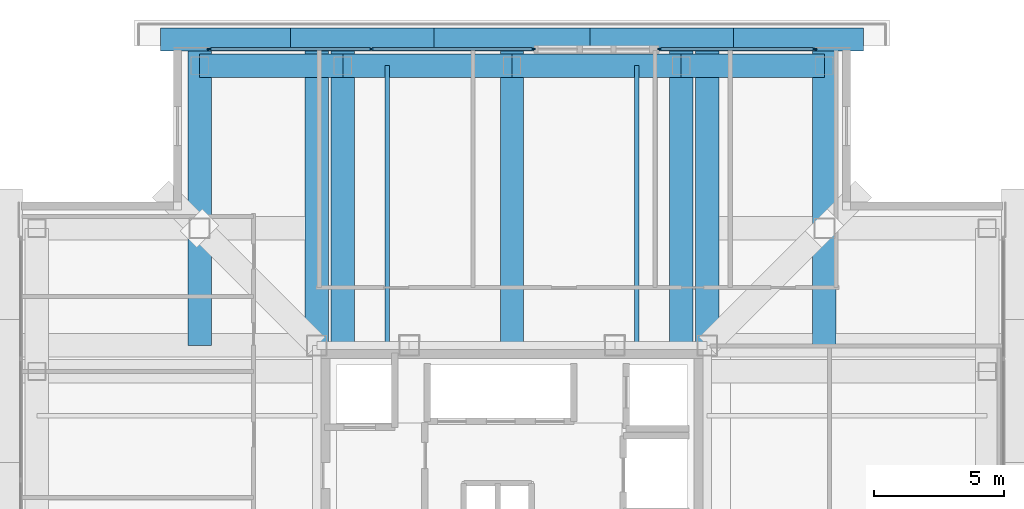
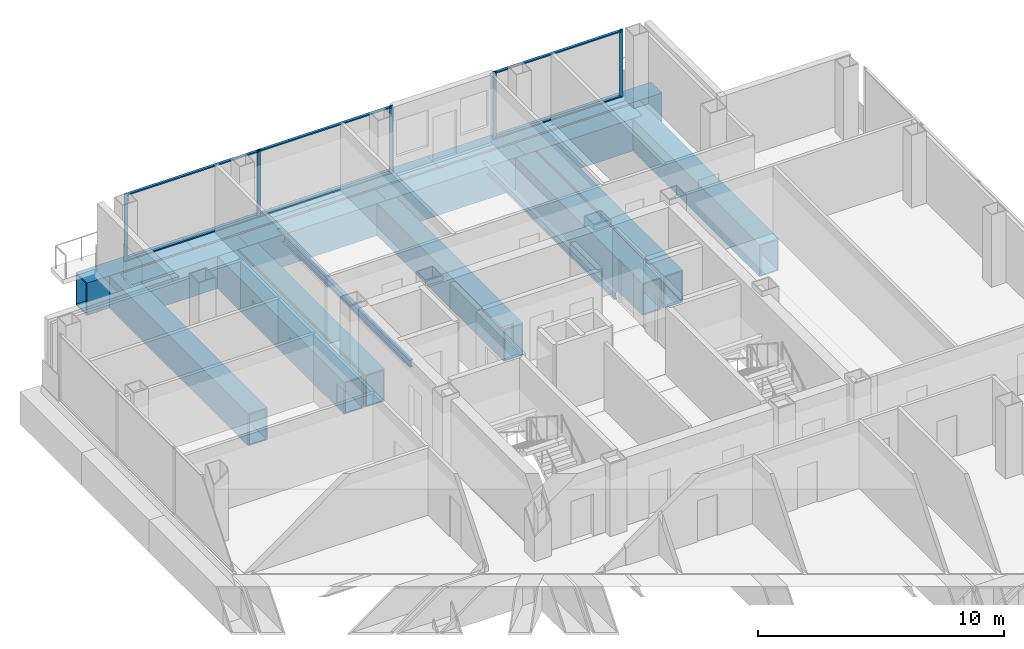
# One storey, part 6 of 15: 18 beams, 11 members, 2 elements without a shape of their own.
"""IFC4 building model written with IfcOpenShell, lengths in metres."""

from ifc_helpers import new_model, si_unit, direction, frame, origin, origin_2d, place, context, subcontext, project, spatial, rectangle, hollow_rectangle, i_section, extrude, material, layer, layer_set, material_profile, profile_set, type_object, element, aggregate, save


model = new_model("IFC4")

# Units and contexts
model_context = context("Model", 3, precision=1e-05, world=origin(), true_north=direction((0.0, 1.0)))
body_context = subcontext(model_context, "Body", "Model", "MODEL_VIEW")
ifc_project = project(units=[si_unit("LENGTHUNIT", "METRE"), si_unit("AREAUNIT", "SQUARE_METRE"), si_unit("VOLUMEUNIT", "CUBIC_METRE"), si_unit("PLANEANGLEUNIT", "RADIAN"), si_unit("MASSUNIT", "GRAM", prefix="KILO")], contexts=[model_context])

# Site, building, storey
site_placement = place(None, origin())
site = spatial("IfcSite", under=ifc_project, at=site_placement, CompositionType="ELEMENT")
building_placement = place(site_placement, origin())
building = spatial("IfcBuilding", under=site, at=building_placement, Name="Trevonay Congress Spire", CompositionType="ELEMENT")
storey_placement = place(building_placement, frame((0.0, 0.0, 232.39990234375)))
storey = spatial("IfcBuildingStorey", under=building, at=storey_placement, Name="L60", CompositionType="ELEMENT", Elevation=232.39990234375)

# Beams
ifc_material_1 = material(Name="Steel ASTM A572 Grade 50", Category="steel")
ifc_material_profile_1 = material_profile(ifc_material_1, hollow_rectangle(XDim=0.89990234375, YDim=1.60009765625, WallThickness=0.06005859375, at=origin_2d()), Name="BOX 1600x900x60")
ifc_profile_set_1 = profile_set([ifc_material_profile_1], Name="Steel ASTM A572 Grade 50")
beam_type_1 = type_object("IfcBeamType", Name="BM-RING-BOX1600", PredefinedType="BEAM", material=ifc_profile_set_1)
beam_1_placement = place(storey_placement, frame((-12.0, 18.25, -1.199951171875), z_axis=(1.0, 0.0, 0.0), x_axis=(0.0, 1.0, 0.0)))
element("IfcBeam", 1, at=beam_1_placement, inside=storey, type_object=beam_type_1, Name="L60 structural beam BM-L60-PN1", PredefinedType="BEAM", context=body_context, shape_type="SweptSolid", body=[
    extrude(hollow_rectangle(XDim=0.89990234375, YDim=1.60009765625, WallThickness=0.06005859375, at=origin_2d()), origin(), (0.0, 0.0, 1.0), 5.5),
])
for number, where, z_axis, x_axis, name in (
    (2, (-6.5, 18.25, -1.199951171875), (1.0, 0.0, 0.0), (0.0, 1.0, 0.0), "L60 structural beam BM-L60-PN2"),
    (3, (0.0, 18.25, -1.199951171875), (1.0, 0.0, 0.0), (0.0, 1.0, 0.0), "L60 structural beam BM-L60-PN3"),
):
    element("IfcBeam", number, at=place(storey_placement, frame(where, z_axis=z_axis, x_axis=x_axis)), inside=storey, type_object=beam_type_1, Name=name, PredefinedType="BEAM", context=body_context, shape_type="SweptSolid", body=[
        extrude(hollow_rectangle(XDim=0.89990234375, YDim=1.60009765625, WallThickness=0.06005859375, at=origin_2d()), origin(), (0.0, 0.0, 1.0), 6.5),
    ])
beam_2_placement = place(storey_placement, frame((6.5, 18.25, -1.199951171875), z_axis=(1.0, 0.0, 0.0), x_axis=(0.0, 1.0, 0.0)))
element("IfcBeam", 4, at=beam_2_placement, inside=storey, type_object=beam_type_1, Name="L60 structural beam BM-L60-PN4", PredefinedType="BEAM", context=body_context, shape_type="SweptSolid", body=[
    extrude(hollow_rectangle(XDim=0.89990234375, YDim=1.60009765625, WallThickness=0.06005859375, at=origin_2d()), origin(), (0.0, 0.0, 1.0), 5.5),
])
beam_3_placement = place(storey_placement, frame((-13.5, 19.25, -1.199951171875), z_axis=(1.0, 0.0, 0.0), x_axis=(0.0, 1.0, 0.0)))
element("IfcBeam", 5, at=beam_3_placement, inside=storey, type_object=beam_type_1, Name="L60 structural beam XOUT-L60-N0", PredefinedType="BEAM", context=body_context, shape_type="SweptSolid", body=[
    extrude(hollow_rectangle(XDim=0.89990234375, YDim=1.60009765625, WallThickness=0.06005859375, at=origin_2d()), origin(), (0.0, 0.0, 1.0), 5.0),
])
beam_4_placement = place(storey_placement, frame((-8.5, 19.25, -1.199951171875), z_axis=(1.0, 0.0, 0.0), x_axis=(0.0, 1.0, 0.0)))
element("IfcBeam", 6, at=beam_4_placement, inside=storey, type_object=beam_type_1, Name="L60 structural beam XOUT-L60-N1", PredefinedType="BEAM", context=body_context, shape_type="SweptSolid", body=[
    extrude(hollow_rectangle(XDim=0.89990234375, YDim=1.60009765625, WallThickness=0.06005859375, at=origin_2d()), origin(), (0.0, 0.0, 1.0), 5.5),
])
beam_5_placement = place(storey_placement, frame((-3.0, 19.25, -1.199951171875), z_axis=(1.0, 0.0, 0.0), x_axis=(0.0, 1.0, 0.0)))
element("IfcBeam", 7, at=beam_5_placement, inside=storey, type_object=beam_type_1, Name="L60 structural beam XOUT-L60-N2", PredefinedType="BEAM", context=body_context, shape_type="SweptSolid", body=[
    extrude(hollow_rectangle(XDim=0.89990234375, YDim=1.60009765625, WallThickness=0.06005859375, at=origin_2d()), origin(), (0.0, 0.0, 1.0), 6.0),
])
beam_6_placement = place(storey_placement, frame((3.0, 19.25, -1.199951171875), z_axis=(1.0, 0.0, 0.0), x_axis=(0.0, 1.0, 0.0)))
element("IfcBeam", 8, at=beam_6_placement, inside=storey, type_object=beam_type_1, Name="L60 structural beam XOUT-L60-N3", PredefinedType="BEAM", context=body_context, shape_type="SweptSolid", body=[
    extrude(hollow_rectangle(XDim=0.89990234375, YDim=1.60009765625, WallThickness=0.06005859375, at=origin_2d()), origin(), (0.0, 0.0, 1.0), 5.5),
])
beam_7_placement = place(storey_placement, frame((8.5, 19.25, -1.199951171875), z_axis=(1.0, 0.0, 0.0), x_axis=(0.0, 1.0, 0.0)))
element("IfcBeam", 9, at=beam_7_placement, inside=storey, type_object=beam_type_1, Name="L60 structural beam XOUT-L60-N4", PredefinedType="BEAM", context=body_context, shape_type="SweptSolid", body=[
    extrude(hollow_rectangle(XDim=0.89990234375, YDim=1.60009765625, WallThickness=0.06005859375, at=origin_2d()), origin(), (0.0, 0.0, 1.0), 5.0),
])
ifc_material_profile_2 = material_profile(ifc_material_1, hollow_rectangle(XDim=0.89990234375, YDim=1.60009765625, WallThickness=0.06005859375, at=origin_2d()), Name="BOX 1600x900x60")
ifc_profile_set_2 = profile_set([ifc_material_profile_2], Name="Steel ASTM A572 Grade 50")
beam_type_2 = type_object("IfcBeamType", Name="BM-XFER-BOX1600", PredefinedType="BEAM", material=ifc_profile_set_2)
for number, where, z_axis, x_axis, name in (
    (10, (-7.5, 7.5, -1.199951171875), (0.0, 1.0, 0.0), (-1.0, 0.0, 0.0), "L60 structural beam XSPN-L60-CY-NW"),
    (11, (7.5, 7.5, -1.199951171875), (0.0, 1.0, 0.0), (-1.0, 0.0, 0.0), "L60 structural beam XSPN-L60-CY-NE"),
    (12, (-12.0, 7.5, -1.199951171875), (0.0, 1.0, 0.0), (-1.0, 0.0, 0.0), "L60 structural beam XFER-L60-N0"),
    (13, (-6.5, 7.5, -1.199951171875), (0.0, 1.0, 0.0), (-1.0, 0.0, 0.0), "L60 structural beam XFER-L60-N1"),
    (14, (0.0, 7.5, -1.199951171875), (0.0, 1.0, 0.0), (-1.0, 0.0, 0.0), "L60 structural beam XFER-L60-N2"),
    (15, (6.5, 7.5, -1.199951171875), (0.0, 1.0, 0.0), (-1.0, 0.0, 0.0), "L60 structural beam XFER-L60-N3"),
    (16, (12.0, 7.5, -1.199951171875), (0.0, 1.0, 0.0), (-1.0, 0.0, 0.0), "L60 structural beam XFER-L60-N4"),
):
    element("IfcBeam", number, at=place(storey_placement, frame(where, z_axis=z_axis, x_axis=x_axis)), inside=storey, type_object=beam_type_2, Name=name, PredefinedType="BEAM", context=body_context, shape_type="SweptSolid", body=[
        extrude(hollow_rectangle(XDim=0.89990234375, YDim=1.60009765625, WallThickness=0.06005859375, at=origin_2d()), origin(), (0.0, 0.0, 1.0), 11.75),
    ])

# Curtain wall, members
ifc_material_2 = material(Name="Pale Anodised Aluminium EN AW-6063-T6", Category="aluminium")
ifc_layer = layer(ifc_material_2, 0.1650390625, Name="Pale Anodised Aluminium EN AW-6063-T6")
ifc_layer_set = layer_set([ifc_layer], Name="Pale Anodised Aluminium EN AW-6063-T6")
curtain_wall_type = type_object("IfcCurtainWallType", Name="CW-SYS05-DIPLOM-PALE-METAL", PredefinedType="NOTDEFINED", material=ifc_layer_set)
curtain_wall_1_placement = place(storey_placement, origin())
curtain_wall_1 = element("IfcCurtainWall", 17, at=curtain_wall_1_placement, inside=storey, type_object=curtain_wall_type, Name="L60 NA unitised curtain wall", PredefinedType="NOTDEFINED")
ifc_material_profile_3 = material_profile(ifc_material_2, rectangle(XDim=0.06005859375, YDim=0.159912109375, at=origin_2d()), Name="CW-MULLION-160-ALUMINIUM")
ifc_profile_set_3 = profile_set([ifc_material_profile_3], Name="Pale Anodised Aluminium EN AW-6063-T6")
member_type_1 = type_object("IfcMemberType", Name="CW-MULLION-160-ALUMINIUM", PredefinedType="MULLION", material=ifc_profile_set_3)
member_1_placement = place(storey_placement, frame((-11.6201171875, 18.8798828125, 0.0), z_axis=(0.0, 0.0, 1.0), x_axis=(0.0, 1.0, 0.0)))
member_1 = element("IfcMember", 18, at=member_1_placement, type_object=member_type_1, Name="CW05 mullion 1", PredefinedType="MULLION", context=body_context, shape_type="SweptSolid", body=[
    extrude(rectangle(XDim=0.06005859375, YDim=0.159912109375, at=origin_2d()), origin(), (0.0, 0.0, 1.0), 3.360107421875),
])
member_2_placement = place(storey_placement, frame((-5.39990234375, 18.8798828125, 0.0), z_axis=(0.0, 0.0, 1.0), x_axis=(0.0, 1.0, 0.0)))
member_2 = element("IfcMember", 19, at=member_2_placement, type_object=member_type_1, Name="CW05 mullion 2", PredefinedType="MULLION", context=body_context, shape_type="SweptSolid", body=[
    extrude(rectangle(XDim=0.06005859375, YDim=0.159912109375, at=origin_2d()), origin(), (0.0, 0.0, 1.0), 3.360107421875),
])
member_3_placement = place(storey_placement, frame((0.820068359375, 18.8798828125, 0.0), z_axis=(0.0, 0.0, 1.0), x_axis=(0.0, 1.0, 0.0)))
member_3 = element("IfcMember", 20, at=member_3_placement, type_object=member_type_1, Name="CW05 mullion 3", PredefinedType="MULLION", context=body_context, shape_type="SweptSolid", body=[
    extrude(rectangle(XDim=0.06005859375, YDim=0.159912109375, at=origin_2d()), origin(), (0.0, 0.0, 1.0), 3.360107421875),
])

curtain_wall_2_placement = place(storey_placement, origin())
curtain_wall_2 = element("IfcCurtainWall", 21, at=curtain_wall_2_placement, inside=storey, type_object=curtain_wall_type, Name="L60 NB unitised curtain wall", PredefinedType="NOTDEFINED")
member_4_placement = place(storey_placement, frame((5.679931640625, 18.8798828125, 0.0), z_axis=(0.0, 0.0, 1.0), x_axis=(0.0, 1.0, 0.0)))
member_4 = element("IfcMember", 22, at=member_4_placement, type_object=member_type_1, Name="CW05 mullion 1", PredefinedType="MULLION", context=body_context, shape_type="SweptSolid", body=[
    extrude(rectangle(XDim=0.06005859375, YDim=0.159912109375, at=origin_2d()), origin(), (0.0, 0.0, 1.0), 3.360107421875),
])
member_5_placement = place(storey_placement, frame((11.6201171875, 18.8798828125, 0.0), z_axis=(0.0, 0.0, 1.0), x_axis=(0.0, 1.0, 0.0)))
member_5 = element("IfcMember", 23, at=member_5_placement, type_object=member_type_1, Name="CW05 mullion 2", PredefinedType="MULLION", context=body_context, shape_type="SweptSolid", body=[
    extrude(rectangle(XDim=0.06005859375, YDim=0.159912109375, at=origin_2d()), origin(), (0.0, 0.0, 1.0), 3.360107421875),
])

# Member
ifc_material_profile_4 = material_profile(ifc_material_2, rectangle(XDim=0.1201171875, YDim=0.06005859375, at=origin_2d()), Name="CW-TRANSOM-120-ALUMINIUM")
ifc_profile_set_4 = profile_set([ifc_material_profile_4], Name="Pale Anodised Aluminium EN AW-6063-T6")
member_type_2 = type_object("IfcMemberType", Name="CW-TRANSOM-120-ALUMINIUM", PredefinedType="USERDEFINED", material=ifc_profile_set_4)
member_6_placement = place(storey_placement, frame((-11.590087890625, 18.8798828125, 0.06005859375), z_axis=(1.0, 0.0, 0.0), x_axis=(0.0, 1.0, 0.0)))
member_6 = element("IfcMember", 24, at=member_6_placement, type_object=member_type_2, Name="CW05 transom 1.1", ObjectType="TRANSOM", PredefinedType="USERDEFINED", context=body_context, shape_type="SweptSolid", body=[
    extrude(rectangle(XDim=0.1201171875, YDim=0.06005859375, at=origin_2d()), origin(), (0.0, 0.0, 1.0), 6.16015625),
])

member_7_placement = place(storey_placement, frame((-11.590087890625, 18.8798828125, 3.300048828125), z_axis=(1.0, 0.0, 0.0), x_axis=(0.0, 1.0, 0.0)))
member_7 = element("IfcMember", 25, at=member_7_placement, type_object=member_type_2, Name="CW05 transom 1.2", ObjectType="TRANSOM", PredefinedType="USERDEFINED", context=body_context, shape_type="SweptSolid", body=[
    extrude(rectangle(XDim=0.1201171875, YDim=0.06005859375, at=origin_2d()), origin(), (0.0, 0.0, 1.0), 6.16015625),
])

member_8_placement = place(storey_placement, frame((-5.3701171875, 18.8798828125, 0.06005859375), z_axis=(1.0, 0.0, 0.0), x_axis=(0.0, 1.0, 0.0)))
member_8 = element("IfcMember", 26, at=member_8_placement, type_object=member_type_2, Name="CW05 transom 2.1", ObjectType="TRANSOM", PredefinedType="USERDEFINED", context=body_context, shape_type="SweptSolid", body=[
    extrude(rectangle(XDim=0.1201171875, YDim=0.06005859375, at=origin_2d()), origin(), (0.0, 0.0, 1.0), 6.16015625),
])

member_9_placement = place(storey_placement, frame((-5.3701171875, 18.8798828125, 3.300048828125), z_axis=(1.0, 0.0, 0.0), x_axis=(0.0, 1.0, 0.0)))
member_9 = element("IfcMember", 27, at=member_9_placement, type_object=member_type_2, Name="CW05 transom 2.2", ObjectType="TRANSOM", PredefinedType="USERDEFINED", context=body_context, shape_type="SweptSolid", body=[
    extrude(rectangle(XDim=0.1201171875, YDim=0.06005859375, at=origin_2d()), origin(), (0.0, 0.0, 1.0), 6.16015625),
])

aggregate(curtain_wall_1, [member_1, member_2, member_3, member_6, member_7, member_8, member_9])

member_10_placement = place(storey_placement, frame((5.7099609375, 18.8798828125, 0.06005859375), z_axis=(1.0, 0.0, 0.0), x_axis=(0.0, 1.0, 0.0)))
member_10 = element("IfcMember", 28, at=member_10_placement, type_object=member_type_2, Name="CW05 transom 1.1", ObjectType="TRANSOM", PredefinedType="USERDEFINED", context=body_context, shape_type="SweptSolid", body=[
    extrude(rectangle(XDim=0.1201171875, YDim=0.06005859375, at=origin_2d()), origin(), (0.0, 0.0, 1.0), 5.880126953125),
])

member_11_placement = place(storey_placement, frame((5.7099609375, 18.8798828125, 3.300048828125), z_axis=(1.0, 0.0, 0.0), x_axis=(0.0, 1.0, 0.0)))
member_11 = element("IfcMember", 29, at=member_11_placement, type_object=member_type_2, Name="CW05 transom 1.2", ObjectType="TRANSOM", PredefinedType="USERDEFINED", context=body_context, shape_type="SweptSolid", body=[
    extrude(rectangle(XDim=0.1201171875, YDim=0.06005859375, at=origin_2d()), origin(), (0.0, 0.0, 1.0), 5.880126953125),
])

aggregate(curtain_wall_2, [member_4, member_5, member_10, member_11])

# Beams
ifc_material_profile_5 = material_profile(ifc_material_1, i_section(OverallWidth=0.172119140625, OverallDepth=0.35791015625, WebThickness=0.0078125, FlangeThickness=0.01318359375, FilletRadius=0.011962890625, at=origin_2d()), Name="W360x57.8")
ifc_profile_set_5 = profile_set([ifc_material_profile_5], Name="Steel ASTM A572 Grade 50")
beam_type_3 = type_object("IfcBeamType", Name="JS-COMP-W360X57", PredefinedType="JOIST", material=ifc_profile_set_5)
for number, where, z_axis, x_axis, name in (
    (30, (-4.800048828125, 7.5, -0.578857421875), (0.0, 1.0, 0.0), (-1.0, 0.0, 0.0), "L60 structural beam JS-L60-NS-N1"),
    (31, (4.800048828125, 7.5, -0.578857421875), (0.0, 1.0, 0.0), (-1.0, 0.0, 0.0), "L60 structural beam JS-L60-NS-N3"),
):
    element("IfcBeam", number, at=place(storey_placement, frame(where, z_axis=z_axis, x_axis=x_axis)), inside=storey, type_object=beam_type_3, Name=name, PredefinedType="JOIST", context=body_context, shape_type="SweptSolid", body=[
        extrude(i_section(OverallWidth=0.172119140625, OverallDepth=0.35791015625, WebThickness=0.0078125, FlangeThickness=0.01318359375, FilletRadius=0.011962890625, at=origin_2d()), origin(), (0.0, 0.0, 1.0), 10.75),
    ])

save(model, "model.ifc")
